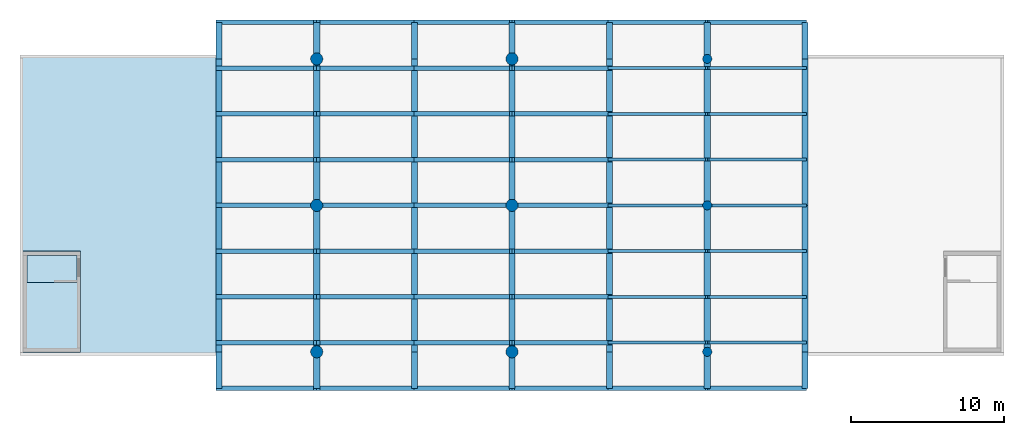
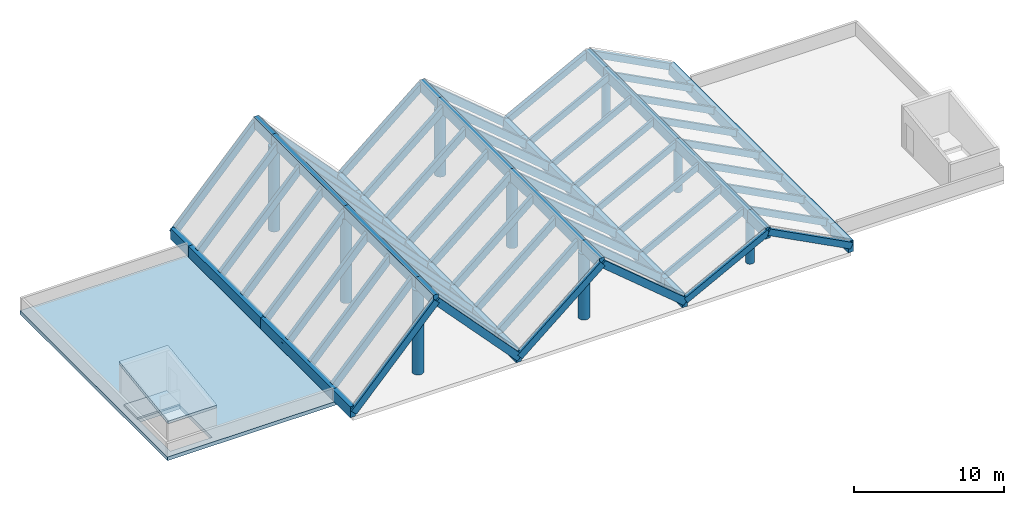
# One storey, part 1 of 3: 82 beams, 9 columns, 3 slabs.
"""IFC4 building model written with IfcOpenShell, lengths in metres."""

from ifc_helpers import new_model, si_unit, direction, frame, origin, origin_2d, place, context, subcontext, project, spatial, polyline, rectangle, circle, outline, extrude, material, layer, layer_set, material_profile, profile_set, type_object, element, save


model = new_model("IFC4")

# Units and contexts
model_context = context("Model", 3, precision=1e-05, world=origin(), true_north=direction((0.0, 1.0)))
body_context = subcontext(model_context, "Body", "Model", "MODEL_VIEW")
ifc_project = project(units=[si_unit("LENGTHUNIT", "METRE"), si_unit("AREAUNIT", "SQUARE_METRE"), si_unit("VOLUMEUNIT", "CUBIC_METRE"), si_unit("PLANEANGLEUNIT", "RADIAN"), si_unit("MASSUNIT", "GRAM", prefix="KILO")], contexts=[model_context])

# Site, building, storey
site_placement = place(None, origin())
site = spatial("IfcSite", under=ifc_project, at=site_placement, CompositionType="ELEMENT")
building_placement = place(site_placement, origin())
building = spatial("IfcBuilding", under=site, at=building_placement, Name="Fogon Plaza Fire Station and Headquarters Tower", CompositionType="ELEMENT")
storey_placement = place(building_placement, frame((0.0, 0.0, 69.300048828125)))
storey = spatial("IfcBuildingStorey", under=building, at=storey_placement, Name="ROOF", CompositionType="ELEMENT", Elevation=69.300048828125)

# Columns
ifc_material_1 = material(Name="Concrete C40", Category="concrete")
ifc_material_profile_1 = material_profile(ifc_material_1, circle(Radius=0.300048828125, at=origin_2d()), Name="RC D600")
ifc_profile_set_1 = profile_set([ifc_material_profile_1], Name="Concrete C40")
column_type_1 = type_object("IfcColumnType", Name="COLUMN RC D600", PredefinedType="COLUMN", material=ifc_profile_set_1)
for number, where, z_axis, x_axis, name in (
    (1, (57.60009765625, 33.60009765625, 0.300048828125), (0.0, 0.0, 1.0), (1.0, 0.0, 0.0), "col-L16-CR6-E"),
    (2, (57.60009765625, 43.199951171875, 0.300048828125), (0.0, 0.0, 1.0), (1.0, 0.0, 0.0), "col-L16-CR6-F"),
    (3, (57.60009765625, 52.800048828125, 0.300048828125), (0.0, 0.0, 1.0), (1.0, 0.0, 0.0), "col-L16-CR6-G"),
):
    element("IfcColumn", number, at=place(storey_placement, frame(where, z_axis=z_axis, x_axis=x_axis)), inside=storey, type_object=column_type_1, Name=name, PredefinedType="COLUMN", context=body_context, shape_type="SweptSolid", body=[
        extrude(circle(Radius=0.300048828125, at=origin_2d()), origin(), (0.0, 0.0, 1.0), 3.349853515625),
    ])
ifc_material_2 = material(Name="Concrete C40", Category="concrete")
ifc_material_profile_2 = material_profile(ifc_material_2, circle(Radius=0.39990234375, at=origin_2d()), Name="RC D800")
ifc_profile_set_2 = profile_set([ifc_material_profile_2], Name="Concrete C40")
column_type_2 = type_object("IfcColumnType", Name="COLUMN RC D800", PredefinedType="COLUMN", material=ifc_profile_set_2)
for number, where, z_axis, x_axis, name in (
    (4, (32.0, 33.60009765625, 0.300048828125), (0.0, 0.0, 1.0), (1.0, 0.0, 0.0), "col-L16-CR2-E"),
    (5, (32.0, 43.199951171875, 0.300048828125), (0.0, 0.0, 1.0), (1.0, 0.0, 0.0), "col-L16-CR2-F"),
    (6, (32.0, 52.800048828125, 0.300048828125), (0.0, 0.0, 1.0), (1.0, 0.0, 0.0), "col-L16-CR2-G"),
):
    element("IfcColumn", number, at=place(storey_placement, frame(where, z_axis=z_axis, x_axis=x_axis)), inside=storey, type_object=column_type_2, Name=name, PredefinedType="COLUMN", context=body_context, shape_type="SweptSolid", body=[
        extrude(circle(Radius=0.39990234375, at=origin_2d()), origin(), (0.0, 0.0, 1.0), 6.849853515625),
    ])
for number, where, z_axis, x_axis, name in (
    (7, (44.800048828125, 33.60009765625, 0.300048828125), (0.0, 0.0, 1.0), (1.0, 0.0, 0.0), "col-L16-CR4-E"),
    (8, (44.800048828125, 43.199951171875, 0.300048828125), (0.0, 0.0, 1.0), (1.0, 0.0, 0.0), "col-L16-CR4-F"),
    (9, (44.800048828125, 52.800048828125, 0.300048828125), (0.0, 0.0, 1.0), (1.0, 0.0, 0.0), "col-L16-CR4-G"),
):
    element("IfcColumn", number, at=place(storey_placement, frame(where, z_axis=z_axis, x_axis=x_axis)), inside=storey, type_object=column_type_2, Name=name, PredefinedType="COLUMN", context=body_context, shape_type="SweptSolid", body=[
        extrude(circle(Radius=0.39990234375, at=origin_2d()), origin(), (0.0, 0.0, 1.0), 5.349853515625),
    ])

# Beams
ifc_material_3 = material(Name="Concrete C40", Category="concrete")
ifc_material_profile_3 = material_profile(ifc_material_3, rectangle(XDim=0.39990234375, YDim=0.89990234375, at=origin_2d()), Name="RC 400x900")
ifc_profile_set_3 = profile_set([ifc_material_profile_3], Name="Concrete C40")
beam_type_1 = type_object("IfcBeamType", Name="BEAM RC 400x900", PredefinedType="BEAM", material=ifc_profile_set_3)
beam_1_placement = place(storey_placement, frame((25.60009765625, 33.60009765625, 0.75), z_axis=(0.0, 1.0, 0.0), x_axis=(-1.0, 0.0, 0.0)))
element("IfcBeam", 10, at=beam_1_placement, inside=storey, type_object=beam_type_1, Name="beam-L16-CR1-2", PredefinedType="BEAM", context=body_context, shape_type="SweptSolid", body=[
    extrude(rectangle(XDim=0.39990234375, YDim=0.89990234375, at=origin_2d()), origin(), (0.0, 0.0, 1.0), 9.599853515625),
])
beam_2_placement = place(storey_placement, frame((25.60009765625, 43.199951171875, 0.75), z_axis=(0.0, 1.0, 0.0), x_axis=(-1.0, 0.0, 0.0)))
element("IfcBeam", 11, at=beam_2_placement, inside=storey, type_object=beam_type_1, Name="beam-L16-CR1-3", PredefinedType="BEAM", context=body_context, shape_type="SweptSolid", body=[
    extrude(rectangle(XDim=0.39990234375, YDim=0.89990234375, at=origin_2d()), origin(), (0.0, 0.0, 1.0), 9.60009765625),
])
beam_3_placement = place(storey_placement, frame((32.0, 33.60009765625, 7.599853515625), z_axis=(0.0, 1.0, 0.0), x_axis=(-1.0, 0.0, 0.0)))
element("IfcBeam", 12, at=beam_3_placement, inside=storey, type_object=beam_type_1, Name="beam-L16-CR2-2", PredefinedType="BEAM", context=body_context, shape_type="SweptSolid", body=[
    extrude(rectangle(XDim=0.39990234375, YDim=0.89990234375, at=origin_2d()), origin(), (0.0, 0.0, 1.0), 9.599853515625),
])
beam_4_placement = place(storey_placement, frame((32.0, 43.199951171875, 7.599853515625), z_axis=(0.0, 1.0, 0.0), x_axis=(-1.0, 0.0, 0.0)))
element("IfcBeam", 13, at=beam_4_placement, inside=storey, type_object=beam_type_1, Name="beam-L16-CR2-3", PredefinedType="BEAM", context=body_context, shape_type="SweptSolid", body=[
    extrude(rectangle(XDim=0.39990234375, YDim=0.89990234375, at=origin_2d()), origin(), (0.0, 0.0, 1.0), 9.60009765625),
])
beam_5_placement = place(storey_placement, frame((38.39990234375, 33.60009765625, 0.75), z_axis=(0.0, 1.0, 0.0), x_axis=(-1.0, 0.0, 0.0)))
element("IfcBeam", 14, at=beam_5_placement, inside=storey, type_object=beam_type_1, Name="beam-L16-CR3-2", PredefinedType="BEAM", context=body_context, shape_type="SweptSolid", body=[
    extrude(rectangle(XDim=0.39990234375, YDim=0.89990234375, at=origin_2d()), origin(), (0.0, 0.0, 1.0), 9.599853515625),
])
beam_6_placement = place(storey_placement, frame((38.39990234375, 43.199951171875, 0.75), z_axis=(0.0, 1.0, 0.0), x_axis=(-1.0, 0.0, 0.0)))
element("IfcBeam", 15, at=beam_6_placement, inside=storey, type_object=beam_type_1, Name="beam-L16-CR3-3", PredefinedType="BEAM", context=body_context, shape_type="SweptSolid", body=[
    extrude(rectangle(XDim=0.39990234375, YDim=0.89990234375, at=origin_2d()), origin(), (0.0, 0.0, 1.0), 9.60009765625),
])
beam_7_placement = place(storey_placement, frame((44.800048828125, 33.60009765625, 6.099853515625), z_axis=(0.0, 1.0, 0.0), x_axis=(-1.0, 0.0, 0.0)))
element("IfcBeam", 16, at=beam_7_placement, inside=storey, type_object=beam_type_1, Name="beam-L16-CR4-2", PredefinedType="BEAM", context=body_context, shape_type="SweptSolid", body=[
    extrude(rectangle(XDim=0.39990234375, YDim=0.89990234375, at=origin_2d()), origin(), (0.0, 0.0, 1.0), 9.599853515625),
])
beam_8_placement = place(storey_placement, frame((44.800048828125, 43.199951171875, 6.099853515625), z_axis=(0.0, 1.0, 0.0), x_axis=(-1.0, 0.0, 0.0)))
element("IfcBeam", 17, at=beam_8_placement, inside=storey, type_object=beam_type_1, Name="beam-L16-CR4-3", PredefinedType="BEAM", context=body_context, shape_type="SweptSolid", body=[
    extrude(rectangle(XDim=0.39990234375, YDim=0.89990234375, at=origin_2d()), origin(), (0.0, 0.0, 1.0), 9.60009765625),
])
beam_9_placement = place(storey_placement, frame((51.199951171875, 33.60009765625, 0.75), z_axis=(0.0, 1.0, 0.0), x_axis=(-1.0, 0.0, 0.0)))
element("IfcBeam", 18, at=beam_9_placement, inside=storey, type_object=beam_type_1, Name="beam-L16-CR5-2", PredefinedType="BEAM", context=body_context, shape_type="SweptSolid", body=[
    extrude(rectangle(XDim=0.39990234375, YDim=0.89990234375, at=origin_2d()), origin(), (0.0, 0.0, 1.0), 9.599853515625),
])
beam_10_placement = place(storey_placement, frame((51.199951171875, 43.199951171875, 0.75), z_axis=(0.0, 1.0, 0.0), x_axis=(-1.0, 0.0, 0.0)))
element("IfcBeam", 19, at=beam_10_placement, inside=storey, type_object=beam_type_1, Name="beam-L16-CR5-3", PredefinedType="BEAM", context=body_context, shape_type="SweptSolid", body=[
    extrude(rectangle(XDim=0.39990234375, YDim=0.89990234375, at=origin_2d()), origin(), (0.0, 0.0, 1.0), 9.60009765625),
])
beam_11_placement = place(storey_placement, frame((57.60009765625, 33.60009765625, 4.099853515625), z_axis=(0.0, 1.0, 0.0), x_axis=(-1.0, 0.0, 0.0)))
element("IfcBeam", 20, at=beam_11_placement, inside=storey, type_object=beam_type_1, Name="beam-L16-CR6-2", PredefinedType="BEAM", context=body_context, shape_type="SweptSolid", body=[
    extrude(rectangle(XDim=0.39990234375, YDim=0.89990234375, at=origin_2d()), origin(), (0.0, 0.0, 1.0), 9.599853515625),
])
beam_12_placement = place(storey_placement, frame((57.60009765625, 43.199951171875, 4.099853515625), z_axis=(0.0, 1.0, 0.0), x_axis=(-1.0, 0.0, 0.0)))
element("IfcBeam", 21, at=beam_12_placement, inside=storey, type_object=beam_type_1, Name="beam-L16-CR6-3", PredefinedType="BEAM", context=body_context, shape_type="SweptSolid", body=[
    extrude(rectangle(XDim=0.39990234375, YDim=0.89990234375, at=origin_2d()), origin(), (0.0, 0.0, 1.0), 9.60009765625),
])
beam_13_placement = place(storey_placement, frame((64.0, 33.60009765625, 0.75), z_axis=(0.0, 1.0, 0.0), x_axis=(-1.0, 0.0, 0.0)))
element("IfcBeam", 22, at=beam_13_placement, inside=storey, type_object=beam_type_1, Name="beam-L16-CR7-2", PredefinedType="BEAM", context=body_context, shape_type="SweptSolid", body=[
    extrude(rectangle(XDim=0.39990234375, YDim=0.89990234375, at=origin_2d()), origin(), (0.0, 0.0, 1.0), 9.599853515625),
])
beam_14_placement = place(storey_placement, frame((64.0, 43.199951171875, 0.75), z_axis=(0.0, 1.0, 0.0), x_axis=(-1.0, 0.0, 0.0)))
element("IfcBeam", 23, at=beam_14_placement, inside=storey, type_object=beam_type_1, Name="beam-L16-CR7-3", PredefinedType="BEAM", context=body_context, shape_type="SweptSolid", body=[
    extrude(rectangle(XDim=0.39990234375, YDim=0.89990234375, at=origin_2d()), origin(), (0.0, 0.0, 1.0), 9.60009765625),
])
ifc_material_4 = material(Name="Concrete C40", Category="concrete")
ifc_material_profile_4 = material_profile(ifc_material_4, rectangle(XDim=0.39990234375, YDim=0.89990234375, at=origin_2d()), Name="RC 400x900")
ifc_profile_set_4 = profile_set([ifc_material_profile_4], Name="Concrete C40")
beam_type_2 = type_object("IfcBeamType", Name="BEAM RC 400x900 SPAN 0.0 TO 3.0 M", PredefinedType="BEAM", material=ifc_profile_set_4)
beam_15_placement = place(storey_placement, frame((25.60009765625, 31.199951171875, 0.75), z_axis=(0.0, 1.0, 0.0), x_axis=(-1.0, 0.0, 0.0)))
element("IfcBeam", 24, at=beam_15_placement, inside=storey, type_object=beam_type_2, Name="beam-L16-CR1-1", PredefinedType="BEAM", context=body_context, shape_type="SweptSolid", body=[
    extrude(rectangle(XDim=0.39990234375, YDim=0.89990234375, at=origin_2d()), origin(), (0.0, 0.0, 1.0), 2.400146484375),
])
beam_16_placement = place(storey_placement, frame((25.60009765625, 52.800048828125, 0.75), z_axis=(0.0, 1.0, 0.0), x_axis=(-1.0, 0.0, 0.0)))
element("IfcBeam", 25, at=beam_16_placement, inside=storey, type_object=beam_type_2, Name="beam-L16-CR1-4", PredefinedType="BEAM", context=body_context, shape_type="SweptSolid", body=[
    extrude(rectangle(XDim=0.39990234375, YDim=0.89990234375, at=origin_2d()), origin(), (0.0, 0.0, 1.0), 2.39990234375),
])
beam_17_placement = place(storey_placement, frame((32.0, 31.199951171875, 7.599853515625), z_axis=(0.0, 1.0, 0.0), x_axis=(-1.0, 0.0, 0.0)))
element("IfcBeam", 26, at=beam_17_placement, inside=storey, type_object=beam_type_2, Name="beam-L16-CR2-1", PredefinedType="BEAM", context=body_context, shape_type="SweptSolid", body=[
    extrude(rectangle(XDim=0.39990234375, YDim=0.89990234375, at=origin_2d()), origin(), (0.0, 0.0, 1.0), 2.400146484375),
])
beam_18_placement = place(storey_placement, frame((32.0, 52.800048828125, 7.599853515625), z_axis=(0.0, 1.0, 0.0), x_axis=(-1.0, 0.0, 0.0)))
element("IfcBeam", 27, at=beam_18_placement, inside=storey, type_object=beam_type_2, Name="beam-L16-CR2-4", PredefinedType="BEAM", context=body_context, shape_type="SweptSolid", body=[
    extrude(rectangle(XDim=0.39990234375, YDim=0.89990234375, at=origin_2d()), origin(), (0.0, 0.0, 1.0), 2.39990234375),
])
beam_19_placement = place(storey_placement, frame((38.39990234375, 31.199951171875, 0.75), z_axis=(0.0, 1.0, 0.0), x_axis=(-1.0, 0.0, 0.0)))
element("IfcBeam", 28, at=beam_19_placement, inside=storey, type_object=beam_type_2, Name="beam-L16-CR3-1", PredefinedType="BEAM", context=body_context, shape_type="SweptSolid", body=[
    extrude(rectangle(XDim=0.39990234375, YDim=0.89990234375, at=origin_2d()), origin(), (0.0, 0.0, 1.0), 2.400146484375),
])
beam_20_placement = place(storey_placement, frame((38.39990234375, 52.800048828125, 0.75), z_axis=(0.0, 1.0, 0.0), x_axis=(-1.0, 0.0, 0.0)))
element("IfcBeam", 29, at=beam_20_placement, inside=storey, type_object=beam_type_2, Name="beam-L16-CR3-4", PredefinedType="BEAM", context=body_context, shape_type="SweptSolid", body=[
    extrude(rectangle(XDim=0.39990234375, YDim=0.89990234375, at=origin_2d()), origin(), (0.0, 0.0, 1.0), 2.39990234375),
])
beam_21_placement = place(storey_placement, frame((44.800048828125, 31.199951171875, 6.099853515625), z_axis=(0.0, 1.0, 0.0), x_axis=(-1.0, 0.0, 0.0)))
element("IfcBeam", 30, at=beam_21_placement, inside=storey, type_object=beam_type_2, Name="beam-L16-CR4-1", PredefinedType="BEAM", context=body_context, shape_type="SweptSolid", body=[
    extrude(rectangle(XDim=0.39990234375, YDim=0.89990234375, at=origin_2d()), origin(), (0.0, 0.0, 1.0), 2.400146484375),
])
beam_22_placement = place(storey_placement, frame((44.800048828125, 52.800048828125, 6.099853515625), z_axis=(0.0, 1.0, 0.0), x_axis=(-1.0, 0.0, 0.0)))
element("IfcBeam", 31, at=beam_22_placement, inside=storey, type_object=beam_type_2, Name="beam-L16-CR4-4", PredefinedType="BEAM", context=body_context, shape_type="SweptSolid", body=[
    extrude(rectangle(XDim=0.39990234375, YDim=0.89990234375, at=origin_2d()), origin(), (0.0, 0.0, 1.0), 2.39990234375),
])
beam_23_placement = place(storey_placement, frame((51.199951171875, 31.199951171875, 0.75), z_axis=(0.0, 1.0, 0.0), x_axis=(-1.0, 0.0, 0.0)))
element("IfcBeam", 32, at=beam_23_placement, inside=storey, type_object=beam_type_2, Name="beam-L16-CR5-1", PredefinedType="BEAM", context=body_context, shape_type="SweptSolid", body=[
    extrude(rectangle(XDim=0.39990234375, YDim=0.89990234375, at=origin_2d()), origin(), (0.0, 0.0, 1.0), 2.400146484375),
])
beam_24_placement = place(storey_placement, frame((51.199951171875, 52.800048828125, 0.75), z_axis=(0.0, 1.0, 0.0), x_axis=(-1.0, 0.0, 0.0)))
element("IfcBeam", 33, at=beam_24_placement, inside=storey, type_object=beam_type_2, Name="beam-L16-CR5-4", PredefinedType="BEAM", context=body_context, shape_type="SweptSolid", body=[
    extrude(rectangle(XDim=0.39990234375, YDim=0.89990234375, at=origin_2d()), origin(), (0.0, 0.0, 1.0), 2.39990234375),
])
beam_25_placement = place(storey_placement, frame((57.60009765625, 31.199951171875, 4.099853515625), z_axis=(0.0, 1.0, 0.0), x_axis=(-1.0, 0.0, 0.0)))
element("IfcBeam", 34, at=beam_25_placement, inside=storey, type_object=beam_type_2, Name="beam-L16-CR6-1", PredefinedType="BEAM", context=body_context, shape_type="SweptSolid", body=[
    extrude(rectangle(XDim=0.39990234375, YDim=0.89990234375, at=origin_2d()), origin(), (0.0, 0.0, 1.0), 2.400146484375),
])
beam_26_placement = place(storey_placement, frame((57.60009765625, 52.800048828125, 4.099853515625), z_axis=(0.0, 1.0, 0.0), x_axis=(-1.0, 0.0, 0.0)))
element("IfcBeam", 35, at=beam_26_placement, inside=storey, type_object=beam_type_2, Name="beam-L16-CR6-4", PredefinedType="BEAM", context=body_context, shape_type="SweptSolid", body=[
    extrude(rectangle(XDim=0.39990234375, YDim=0.89990234375, at=origin_2d()), origin(), (0.0, 0.0, 1.0), 2.39990234375),
])
beam_27_placement = place(storey_placement, frame((64.0, 31.199951171875, 0.75), z_axis=(0.0, 1.0, 0.0), x_axis=(-1.0, 0.0, 0.0)))
element("IfcBeam", 36, at=beam_27_placement, inside=storey, type_object=beam_type_2, Name="beam-L16-CR7-1", PredefinedType="BEAM", context=body_context, shape_type="SweptSolid", body=[
    extrude(rectangle(XDim=0.39990234375, YDim=0.89990234375, at=origin_2d()), origin(), (0.0, 0.0, 1.0), 2.400146484375),
])
beam_28_placement = place(storey_placement, frame((64.0, 52.800048828125, 0.75), z_axis=(0.0, 1.0, 0.0), x_axis=(-1.0, 0.0, 0.0)))
element("IfcBeam", 37, at=beam_28_placement, inside=storey, type_object=beam_type_2, Name="beam-L16-CR7-4", PredefinedType="BEAM", context=body_context, shape_type="SweptSolid", body=[
    extrude(rectangle(XDim=0.39990234375, YDim=0.89990234375, at=origin_2d()), origin(), (0.0, 0.0, 1.0), 2.39990234375),
])
ifc_material_5 = material(Name="Concrete C40", Category="concrete")
ifc_material_profile_5 = material_profile(ifc_material_5, rectangle(XDim=0.199951171875, YDim=0.5, at=origin_2d()), Name="RC 200x500")
ifc_profile_set_5 = profile_set([ifc_material_profile_5], Name="Concrete C40")
beam_type_3 = type_object("IfcBeamType", Name="CROWN RIB RC 200x500", PredefinedType="BEAM", material=ifc_profile_set_5)
for number, where, z_axis, x_axis, name in (
    (38, (51.199951171875, 34.199951171875, 0.8984375), (0.885965780709, 0.0, 0.463750617695), (0.0, 1.0, 0.0), "beam-L16-RK5-1"),
    (39, (51.199951171875, 37.199951171875, 0.8984375), (0.885965780709, 0.0, 0.463750617695), (0.0, 1.0, 0.0), "beam-L16-RK5-2"),
    (40, (51.199951171875, 40.199951171875, 0.8984375), (0.885965780709, 0.0, 0.463750617695), (0.0, 1.0, 0.0), "beam-L16-RK5-3"),
    (41, (51.199951171875, 43.199951171875, 0.8984375), (0.885965780709, 0.0, 0.463750617695), (0.0, 1.0, 0.0), "beam-L16-RK5-4"),
    (42, (51.199951171875, 46.199951171875, 0.8984375), (0.885965780709, 0.0, 0.463750617695), (0.0, 1.0, 0.0), "beam-L16-RK5-5"),
    (43, (51.199951171875, 49.199951171875, 0.8984375), (0.885965780709, 0.0, 0.463750617695), (0.0, 1.0, 0.0), "beam-L16-RK5-6"),
    (44, (51.199951171875, 52.199951171875, 0.8984375), (0.885965780709, 0.0, 0.463750617695), (0.0, 1.0, 0.0), "beam-L16-RK5-7"),
):
    element("IfcBeam", number, at=place(storey_placement, frame(where, z_axis=z_axis, x_axis=x_axis)), inside=storey, type_object=beam_type_3, Name=name, PredefinedType="BEAM", context=body_context, shape_type="SweptSolid", body=[
        extrude(rectangle(XDim=0.199951171875, YDim=0.5, at=origin_2d()), origin(), (0.0, 0.0, 1.0), 7.223876953125),
    ])
for number, where, z_axis, x_axis, name in (
    (45, (57.60009765625, 34.199951171875, 4.24853515625), (0.885958512028, 0.0, -0.463764503779), (0.0, 1.0, 0.0), "beam-L16-RK6-1"),
    (46, (57.60009765625, 37.199951171875, 4.24853515625), (0.885958512028, 0.0, -0.463764503779), (0.0, 1.0, 0.0), "beam-L16-RK6-2"),
    (47, (57.60009765625, 40.199951171875, 4.24853515625), (0.885958512028, 0.0, -0.463764503779), (0.0, 1.0, 0.0), "beam-L16-RK6-3"),
    (48, (57.60009765625, 43.199951171875, 4.24853515625), (0.885958512028, 0.0, -0.463764503779), (0.0, 1.0, 0.0), "beam-L16-RK6-4"),
    (49, (57.60009765625, 46.199951171875, 4.24853515625), (0.885958512028, 0.0, -0.463764503779), (0.0, 1.0, 0.0), "beam-L16-RK6-5"),
    (50, (57.60009765625, 49.199951171875, 4.24853515625), (0.885958512028, 0.0, -0.463764503779), (0.0, 1.0, 0.0), "beam-L16-RK6-6"),
    (51, (57.60009765625, 52.199951171875, 4.24853515625), (0.885958512028, 0.0, -0.463764503779), (0.0, 1.0, 0.0), "beam-L16-RK6-7"),
):
    element("IfcBeam", number, at=place(storey_placement, frame(where, z_axis=z_axis, x_axis=x_axis)), inside=storey, type_object=beam_type_3, Name=name, PredefinedType="BEAM", context=body_context, shape_type="SweptSolid", body=[
        extrude(rectangle(XDim=0.199951171875, YDim=0.5, at=origin_2d()), origin(), (0.0, 0.0, 1.0), 7.2236328125),
    ])
ifc_material_6 = material(Name="Concrete C40", Category="concrete")
ifc_material_profile_6 = material_profile(ifc_material_6, rectangle(XDim=0.300048828125, YDim=0.550048828125, at=origin_2d()), Name="RC 300x550")
ifc_profile_set_6 = profile_set([ifc_material_profile_6], Name="Concrete C40")
beam_type_4 = type_object("IfcBeamType", Name="CROWN RIB RC 300x550", PredefinedType="BEAM", material=ifc_profile_set_6)
for number, where, z_axis, x_axis, name in (
    (52, (25.60009765625, 34.199951171875, 0.7275390625), (0.682700456165, 0.0, 0.730698355788), (0.0, 1.0, 0.0), "beam-L16-RK1-1"),
    (53, (25.60009765625, 37.199951171875, 0.7275390625), (0.682700456165, 0.0, 0.730698355788), (0.0, 1.0, 0.0), "beam-L16-RK1-2"),
    (54, (25.60009765625, 40.199951171875, 0.7275390625), (0.682700456165, 0.0, 0.730698355788), (0.0, 1.0, 0.0), "beam-L16-RK1-3"),
    (55, (25.60009765625, 43.199951171875, 0.7275390625), (0.682700456165, 0.0, 0.730698355788), (0.0, 1.0, 0.0), "beam-L16-RK1-4"),
    (56, (25.60009765625, 46.199951171875, 0.7275390625), (0.682700456165, 0.0, 0.730698355788), (0.0, 1.0, 0.0), "beam-L16-RK1-5"),
    (57, (25.60009765625, 49.199951171875, 0.7275390625), (0.682700456165, 0.0, 0.730698355788), (0.0, 1.0, 0.0), "beam-L16-RK1-6"),
    (58, (25.60009765625, 52.199951171875, 0.7275390625), (0.682700456165, 0.0, 0.730698355788), (0.0, 1.0, 0.0), "beam-L16-RK1-7"),
    (59, (32.0, 34.199951171875, 7.577392578125), (0.682700456165, 0.0, -0.730698355788), (0.0, 1.0, 0.0), "beam-L16-RK2-1"),
    (60, (32.0, 37.199951171875, 7.577392578125), (0.682700456165, 0.0, -0.730698355788), (0.0, 1.0, 0.0), "beam-L16-RK2-2"),
    (61, (32.0, 40.199951171875, 7.577392578125), (0.682700456165, 0.0, -0.730698355788), (0.0, 1.0, 0.0), "beam-L16-RK2-3"),
    (62, (32.0, 43.199951171875, 7.577392578125), (0.682700456165, 0.0, -0.730698355788), (0.0, 1.0, 0.0), "beam-L16-RK2-4"),
    (63, (32.0, 46.199951171875, 7.577392578125), (0.682700456165, 0.0, -0.730698355788), (0.0, 1.0, 0.0), "beam-L16-RK2-5"),
    (64, (32.0, 49.199951171875, 7.577392578125), (0.682700456165, 0.0, -0.730698355788), (0.0, 1.0, 0.0), "beam-L16-RK2-6"),
    (65, (32.0, 52.199951171875, 7.577392578125), (0.682700456165, 0.0, -0.730698355788), (0.0, 1.0, 0.0), "beam-L16-RK2-7"),
):
    element("IfcBeam", number, at=place(storey_placement, frame(where, z_axis=z_axis, x_axis=x_axis)), inside=storey, type_object=beam_type_4, Name=name, PredefinedType="BEAM", context=body_context, shape_type="SweptSolid", body=[
        extrude(rectangle(XDim=0.300048828125, YDim=0.550048828125, at=origin_2d()), origin(), (0.0, 0.0, 1.0), 9.37451171875),
    ])
for number, where, z_axis, x_axis, name in (
    (66, (38.39990234375, 34.199951171875, 0.7958984375), (0.767239207009, 0.0, 0.641361052161), (0.0, 1.0, 0.0), "beam-L16-RK3-1"),
    (67, (38.39990234375, 37.199951171875, 0.7958984375), (0.767239207009, 0.0, 0.641361052161), (0.0, 1.0, 0.0), "beam-L16-RK3-2"),
    (68, (38.39990234375, 40.199951171875, 0.7958984375), (0.767239207009, 0.0, 0.641361052161), (0.0, 1.0, 0.0), "beam-L16-RK3-3"),
    (69, (38.39990234375, 43.199951171875, 0.7958984375), (0.767239207009, 0.0, 0.641361052161), (0.0, 1.0, 0.0), "beam-L16-RK3-4"),
    (70, (38.39990234375, 46.199951171875, 0.7958984375), (0.767239207009, 0.0, 0.641361052161), (0.0, 1.0, 0.0), "beam-L16-RK3-5"),
    (71, (38.39990234375, 49.199951171875, 0.7958984375), (0.767239207009, 0.0, 0.641361052161), (0.0, 1.0, 0.0), "beam-L16-RK3-6"),
    (72, (38.39990234375, 52.199951171875, 0.7958984375), (0.767239207009, 0.0, 0.641361052161), (0.0, 1.0, 0.0), "beam-L16-RK3-7"),
):
    element("IfcBeam", number, at=place(storey_placement, frame(where, z_axis=z_axis, x_axis=x_axis)), inside=storey, type_object=beam_type_4, Name=name, PredefinedType="BEAM", context=body_context, shape_type="SweptSolid", body=[
        extrude(rectangle(XDim=0.300048828125, YDim=0.550048828125, at=origin_2d()), origin(), (0.0, 0.0, 1.0), 8.341796875),
    ])
for number, where, z_axis, x_axis, name in (
    (73, (44.800048828125, 34.199951171875, 6.14599609375), (0.767227167723, 0.0, -0.641375454089), (0.0, 1.0, 0.0), "beam-L16-RK4-1"),
    (74, (44.800048828125, 37.199951171875, 6.14599609375), (0.767227167723, 0.0, -0.641375454089), (0.0, 1.0, 0.0), "beam-L16-RK4-2"),
    (75, (44.800048828125, 40.199951171875, 6.14599609375), (0.767227167723, 0.0, -0.641375454089), (0.0, 1.0, 0.0), "beam-L16-RK4-3"),
    (76, (44.800048828125, 43.199951171875, 6.14599609375), (0.767227167723, 0.0, -0.641375454089), (0.0, 1.0, 0.0), "beam-L16-RK4-4"),
    (77, (44.800048828125, 46.199951171875, 6.14599609375), (0.767227167723, 0.0, -0.641375454089), (0.0, 1.0, 0.0), "beam-L16-RK4-5"),
    (78, (44.800048828125, 49.199951171875, 6.14599609375), (0.767227167723, 0.0, -0.641375454089), (0.0, 1.0, 0.0), "beam-L16-RK4-6"),
    (79, (44.800048828125, 52.199951171875, 6.14599609375), (0.767227167723, 0.0, -0.641375454089), (0.0, 1.0, 0.0), "beam-L16-RK4-7"),
):
    element("IfcBeam", number, at=place(storey_placement, frame(where, z_axis=z_axis, x_axis=x_axis)), inside=storey, type_object=beam_type_4, Name=name, PredefinedType="BEAM", context=body_context, shape_type="SweptSolid", body=[
        extrude(rectangle(XDim=0.300048828125, YDim=0.550048828125, at=origin_2d()), origin(), (0.0, 0.0, 1.0), 8.341552734375),
    ])
ifc_material_7 = material(Name="Concrete C40", Category="concrete")
ifc_material_profile_7 = material_profile(ifc_material_7, rectangle(XDim=0.300048828125, YDim=0.5, at=origin_2d()), Name="RC 300x500")
ifc_profile_set_7 = profile_set([ifc_material_profile_7], Name="Concrete C40")
beam_type_5 = type_object("IfcBeamType", Name="CROWN TIP BEAM RC 300x500", PredefinedType="BEAM", material=ifc_profile_set_7)
beam_29_placement = place(storey_placement, frame((51.199951171875, 31.199951171875, 0.8984375), z_axis=(0.885965780709, 0.0, 0.463750617695), x_axis=(0.0, 1.0, 0.0)))
element("IfcBeam", 80, at=beam_29_placement, inside=storey, type_object=beam_type_5, Name="beam-L16-CTS5", PredefinedType="BEAM", context=body_context, shape_type="SweptSolid", body=[
    extrude(rectangle(XDim=0.300048828125, YDim=0.5, at=origin_2d()), origin(), (0.0, 0.0, 1.0), 7.223876953125),
])
beam_30_placement = place(storey_placement, frame((57.60009765625, 31.199951171875, 4.24853515625), z_axis=(0.885958512028, 0.0, -0.463764503779), x_axis=(0.0, 1.0, 0.0)))
element("IfcBeam", 81, at=beam_30_placement, inside=storey, type_object=beam_type_5, Name="beam-L16-CTS6", PredefinedType="BEAM", context=body_context, shape_type="SweptSolid", body=[
    extrude(rectangle(XDim=0.300048828125, YDim=0.5, at=origin_2d()), origin(), (0.0, 0.0, 1.0), 7.2236328125),
])
beam_31_placement = place(storey_placement, frame((51.199951171875, 55.199951171875, 0.8984375), z_axis=(0.885965780709, 0.0, 0.463750617695), x_axis=(0.0, 1.0, 0.0)))
element("IfcBeam", 82, at=beam_31_placement, inside=storey, type_object=beam_type_5, Name="beam-L16-CTN5", PredefinedType="BEAM", context=body_context, shape_type="SweptSolid", body=[
    extrude(rectangle(XDim=0.300048828125, YDim=0.5, at=origin_2d()), origin(), (0.0, 0.0, 1.0), 7.223876953125),
])
beam_32_placement = place(storey_placement, frame((57.60009765625, 55.199951171875, 4.24853515625), z_axis=(0.885958512028, 0.0, -0.463764503779), x_axis=(0.0, 1.0, 0.0)))
element("IfcBeam", 83, at=beam_32_placement, inside=storey, type_object=beam_type_5, Name="beam-L16-CTN6", PredefinedType="BEAM", context=body_context, shape_type="SweptSolid", body=[
    extrude(rectangle(XDim=0.300048828125, YDim=0.5, at=origin_2d()), origin(), (0.0, 0.0, 1.0), 7.2236328125),
])
ifc_material_8 = material(Name="Concrete C40", Category="concrete")
ifc_material_profile_8 = material_profile(ifc_material_8, rectangle(XDim=0.300048828125, YDim=0.550048828125, at=origin_2d()), Name="RC 300x550")
ifc_profile_set_8 = profile_set([ifc_material_profile_8], Name="Concrete C40")
beam_type_6 = type_object("IfcBeamType", Name="CROWN TIP BEAM RC 300x550", PredefinedType="BEAM", material=ifc_profile_set_8)
for number, where, z_axis, x_axis, name in (
    (84, (25.60009765625, 31.199951171875, 0.7275390625), (0.682700456165, 0.0, 0.730698355788), (0.0, 1.0, 0.0), "beam-L16-CTS1"),
    (85, (32.0, 31.199951171875, 7.577392578125), (0.682700456165, 0.0, -0.730698355788), (0.0, 1.0, 0.0), "beam-L16-CTS2"),
):
    element("IfcBeam", number, at=place(storey_placement, frame(where, z_axis=z_axis, x_axis=x_axis)), inside=storey, type_object=beam_type_6, Name=name, PredefinedType="BEAM", context=body_context, shape_type="SweptSolid", body=[
        extrude(rectangle(XDim=0.300048828125, YDim=0.550048828125, at=origin_2d()), origin(), (0.0, 0.0, 1.0), 9.37451171875),
    ])
beam_33_placement = place(storey_placement, frame((38.39990234375, 31.199951171875, 0.7958984375), z_axis=(0.767239207009, 0.0, 0.641361052161), x_axis=(0.0, 1.0, 0.0)))
element("IfcBeam", 86, at=beam_33_placement, inside=storey, type_object=beam_type_6, Name="beam-L16-CTS3", PredefinedType="BEAM", context=body_context, shape_type="SweptSolid", body=[
    extrude(rectangle(XDim=0.300048828125, YDim=0.550048828125, at=origin_2d()), origin(), (0.0, 0.0, 1.0), 8.341796875),
])
beam_34_placement = place(storey_placement, frame((44.800048828125, 31.199951171875, 6.14599609375), z_axis=(0.767227167723, 0.0, -0.641375454089), x_axis=(0.0, 1.0, 0.0)))
element("IfcBeam", 87, at=beam_34_placement, inside=storey, type_object=beam_type_6, Name="beam-L16-CTS4", PredefinedType="BEAM", context=body_context, shape_type="SweptSolid", body=[
    extrude(rectangle(XDim=0.300048828125, YDim=0.550048828125, at=origin_2d()), origin(), (0.0, 0.0, 1.0), 8.341552734375),
])
for number, where, z_axis, x_axis, name in (
    (88, (25.60009765625, 55.199951171875, 0.7275390625), (0.682700456165, 0.0, 0.730698355788), (0.0, 1.0, 0.0), "beam-L16-CTN1"),
    (89, (32.0, 55.199951171875, 7.577392578125), (0.682700456165, 0.0, -0.730698355788), (0.0, 1.0, 0.0), "beam-L16-CTN2"),
):
    element("IfcBeam", number, at=place(storey_placement, frame(where, z_axis=z_axis, x_axis=x_axis)), inside=storey, type_object=beam_type_6, Name=name, PredefinedType="BEAM", context=body_context, shape_type="SweptSolid", body=[
        extrude(rectangle(XDim=0.300048828125, YDim=0.550048828125, at=origin_2d()), origin(), (0.0, 0.0, 1.0), 9.37451171875),
    ])
beam_35_placement = place(storey_placement, frame((38.39990234375, 55.199951171875, 0.7958984375), z_axis=(0.767239207009, 0.0, 0.641361052161), x_axis=(0.0, 1.0, 0.0)))
element("IfcBeam", 90, at=beam_35_placement, inside=storey, type_object=beam_type_6, Name="beam-L16-CTN3", PredefinedType="BEAM", context=body_context, shape_type="SweptSolid", body=[
    extrude(rectangle(XDim=0.300048828125, YDim=0.550048828125, at=origin_2d()), origin(), (0.0, 0.0, 1.0), 8.341796875),
])
beam_36_placement = place(storey_placement, frame((44.800048828125, 55.199951171875, 6.14599609375), z_axis=(0.767227167723, 0.0, -0.641375454089), x_axis=(0.0, 1.0, 0.0)))
element("IfcBeam", 91, at=beam_36_placement, inside=storey, type_object=beam_type_6, Name="beam-L16-CTN4", PredefinedType="BEAM", context=body_context, shape_type="SweptSolid", body=[
    extrude(rectangle(XDim=0.300048828125, YDim=0.550048828125, at=origin_2d()), origin(), (0.0, 0.0, 1.0), 8.341552734375),
])

# Slabs
ifc_material_9 = material(Name="Concrete C40", Category="concrete")
ifc_layer_1 = layer(ifc_material_9, 0.1298828125)
ifc_layer_set_1 = layer_set([ifc_layer_1], Name="Concrete C40")
slab_type_1 = type_object("IfcSlabType", Name="Head-house Floor Slab RC 130", PredefinedType="FLOOR", material=ifc_layer_set_1)
slab_1_placement = place(storey_placement, frame((0.0, 0.0, 0.300048828125)))
element("IfcSlab", 92, at=slab_1_placement, inside=storey, type_object=slab_type_1, Name="Head-house ST1 floor", PredefinedType="FLOOR", context=body_context, shape_type="SweptSolid", body=[
    extrude(outline(polyline([(16.27490234375, 38.14990234375), (16.27490234375, 39.925048828125), (13.0, 39.925048828125), (13.0, 38.14990234375), (16.27490234375, 38.14990234375)])), origin(), (0.0, 0.0, 1.0), 0.1298828125),
])
ifc_material_10 = material(Name="Concrete C40", Category="concrete")
ifc_layer_2 = layer(ifc_material_10, 0.25)
ifc_layer_set_2 = layer_set([ifc_layer_2], Name="Concrete C40")
slab_type_2 = type_object("IfcSlabType", Name="Head-house Roof Slab RC 250", PredefinedType="ROOF", material=ifc_layer_set_2)
slab_2_placement = place(storey_placement, frame((12.75, 33.60009765625, 3.002197265625), z_axis=(0.0, -0.135640167858, 0.99075816669), x_axis=(1.0, 0.0, 0.0)))
element("IfcSlab", 93, at=slab_2_placement, inside=storey, type_object=slab_type_2, Name="Head-house ST1 roof", PredefinedType="ROOF", context=body_context, shape_type="SweptSolid", body=[
    extrude(outline(polyline([(0.0, 0.0), (3.77490234375, 0.0), (3.77490234375, 6.636282589362294), (0.0, 6.636282589362294), (0.0, 0.0)])), origin(), (0.0, 0.0, -1.0), 0.25),
])
ifc_material_11 = material(Name="Concrete C40", Category="concrete")
ifc_layer_3 = layer(ifc_material_11, 0.300048828125)
ifc_layer_set_3 = layer_set([ifc_layer_3], Name="Concrete C40")
slab_type_3 = type_object("IfcSlabType", Name="Roof slab 300 R30", PredefinedType="ROOF", material=ifc_layer_set_3)
slab_3_placement = place(storey_placement, origin())
element("IfcSlab", 94, at=slab_3_placement, inside=storey, type_object=slab_type_3, Name="slab-roof-coreA", PredefinedType="ROOF", context=body_context, shape_type="SweptSolid", body=[
    extrude(outline(polyline([(12.550048828125, 33.35009765625), (12.550048828125, 53.050048828125), (25.85009765625, 53.050048828125), (25.85009765625, 33.35009765625), (12.550048828125, 33.35009765625)]), holes=[polyline([(16.27490234375, 38.14990234375), (13.050048828125, 38.14990234375), (13.050048828125, 33.85009765625), (16.27490234375, 33.85009765625), (16.27490234375, 38.14990234375)])]), origin(), (0.0, 0.0, 1.0), 0.300048828125),
])

save(model, "model.ifc")
